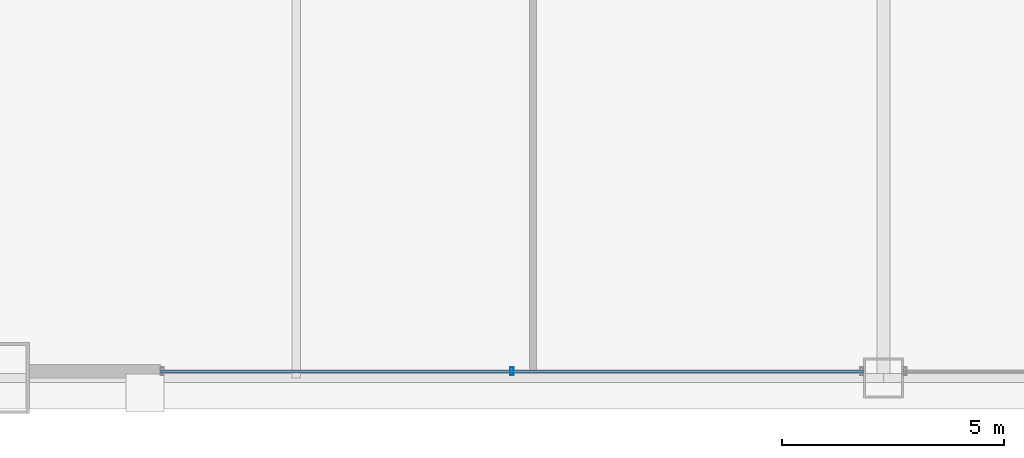
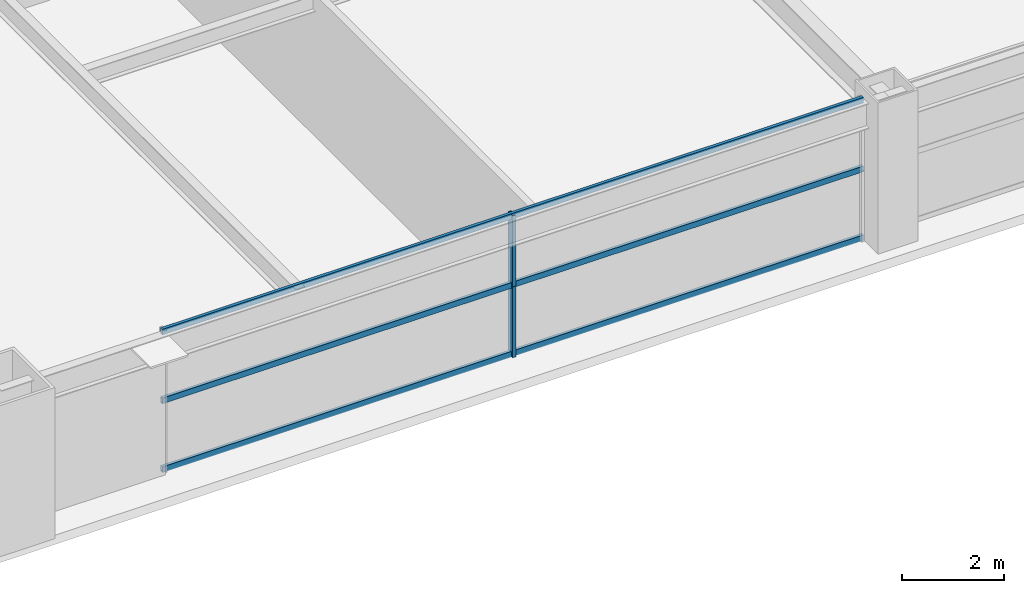
# One storey, part 5 of 37: 5 members, 1 element without a shape of its own.
"""IFC4 building model written with IfcOpenShell, lengths in metres."""

import ifcopenshell
import ifcopenshell.guid

model = None  # the IFC model being written
_history = None  # IfcOwnerHistory: only IFC2X3 demands one
_inside = {}  # id of a spatial element -> (the spatial element, [elements in it])
_under = {}  # id of a project, library or spatial element -> (it, [spatial elements below it])
_declared = {}  # id of a project -> (the project, [libraries it declares])
_typed = {}  # id of a type object -> (the type object, [elements of that type])
_made_of = {}  # id of a material, layer set ... -> (it, [elements and type objects made of it])


def new_model(schema):
    """Start an empty IFC model of exactly this schema.

    Asked for "IFC4X3", IfcOpenShell would pick the latest addendum, in which some entities
    have other attributes; the version numbers below select the first issue.
    IFC2X3 requires an IfcOwnerHistory on every rooted entity: one is made here for all.
    """
    global model, _history
    if schema == "IFC4X3":
        model = ifcopenshell.file(schema_version=(4, 3, 0, 0))
    else:
        model = ifcopenshell.file(schema=schema)
    _inside.clear()
    _under.clear()
    _declared.clear()
    _typed.clear()
    _made_of.clear()
    _history = None
    if model.schema == "IFC2X3":
        org = make("IfcOrganization", Name="unknown")
        user = make(
            "IfcPersonAndOrganization",
            ThePerson=make("IfcPerson", FamilyName="unknown"),
            TheOrganization=org,
        )
        app = make(
            "IfcApplication",
            ApplicationDeveloper=org,
            Version="unknown",
            ApplicationFullName="unknown",
            ApplicationIdentifier="unknown",
        )
        _history = make(
            "IfcOwnerHistory",
            OwningUser=user,
            OwningApplication=app,
            ChangeAction="ADDED",
            CreationDate=0,
        )
    return model


def make(cls, **values):
    """One entity of the class cls with the attributes given. An attribute that is None is left unset."""
    return model.create_entity(
        cls, **{name: value for name, value in values.items() if value is not None}
    )


def rooted(cls, **values):
    """An entity with a GlobalId (a new one), such as an element, a storey or a relation."""
    return make(cls, GlobalId=ifcopenshell.guid.new(), OwnerHistory=_history, **values)


def si_unit(unit_type, name, prefix=None):
    """IfcSIUnit, for example si_unit("LENGTHUNIT", "METRE", prefix="MILLI")."""
    return make("IfcSIUnit", UnitType=unit_type, Prefix=prefix, Name=name)


def assignment(units):
    """IfcUnitAssignment: the units of a project."""
    return None if units is None else make("IfcUnitAssignment", Units=units)


def point(xyz):
    """IfcCartesianPoint."""
    return None if xyz is None else make("IfcCartesianPoint", Coordinates=xyz)


def direction(xyz):
    """IfcDirection."""
    return None if xyz is None else make("IfcDirection", DirectionRatios=xyz)


def frame(location, z_axis=None, x_axis=None):
    """IfcAxis2Placement3D, a coordinate frame: its origin and axes. An axis left out is left unset."""
    return make(
        "IfcAxis2Placement3D",
        Location=point(location),
        Axis=direction(z_axis),
        RefDirection=direction(x_axis),
    )


def frame_2d(location, x_axis=None):
    """IfcAxis2Placement2D, a coordinate frame in the plane: its origin and x axis."""
    return make(
        "IfcAxis2Placement2D", Location=point(location), RefDirection=direction(x_axis)
    )


def origin():
    """The frame at (0, 0, 0) with its axes left unset."""
    return frame((0.0, 0.0, 0.0))


def origin_2d():
    """The frame at (0, 0) in the plane with its x axis left unset."""
    return frame_2d((0.0, 0.0))


def place(relative_to, where):
    """IfcLocalPlacement: puts the frame where relative to a parent placement (None: the world)."""
    return make(
        "IfcLocalPlacement", PlacementRelTo=relative_to, RelativePlacement=where
    )


def context(
    kind, dimensions, precision=None, world=None, true_north=None, identifier=None
):
    """IfcGeometricRepresentationContext, for example the 3D "Model" context."""
    return make(
        "IfcGeometricRepresentationContext",
        ContextIdentifier=identifier,
        ContextType=kind,
        CoordinateSpaceDimension=dimensions,
        Precision=precision,
        WorldCoordinateSystem=world,
        TrueNorth=true_north,
    )


def subcontext(parent, identifier, kind, view, scale=None):
    """IfcGeometricRepresentationSubContext, for example "Body" below "Model"."""
    return make(
        "IfcGeometricRepresentationSubContext",
        ContextIdentifier=identifier,
        ContextType=kind,
        ParentContext=parent,
        TargetScale=scale,
        TargetView=view,
    )


def project(units=None, contexts=None):
    """IfcProject with its units and contexts."""
    return rooted(
        "IfcProject",
        Name="project",
        RepresentationContexts=contexts,
        UnitsInContext=assignment(units),
    )


def spatial(cls, under=None, at=None, **own):
    """A site, building, storey or space (cls), placed at a placement, below another one or the project."""
    s = rooted(cls, ObjectPlacement=at, **own)
    if under is not None:
        _under.setdefault(under.id(), (under, []))[1].append(s)
    return s


def profile(cls, at=None, kind="AREA", **sizes):
    """A parametric profile (cls). Its sizes go by their IFC names, for example OverallWidth=200.0."""
    return make(cls, ProfileType=kind, Position=at, **sizes)


def hollow_rectangle(**sizes):
    """IfcRectangleHollowProfileDef."""
    return profile("IfcRectangleHollowProfileDef", **sizes)


def extrude(swept, where, along, depth):
    """IfcExtrudedAreaSolid: the profile swept, set in the frame where, extruded along a direction by depth."""
    return make(
        "IfcExtrudedAreaSolid",
        SweptArea=swept,
        Position=where,
        ExtrudedDirection=direction(along),
        Depth=depth,
    )


def shape(context_of_items, identifier, shape_type, items):
    """IfcShapeRepresentation: the items that make up one representation, for example the "Body"."""
    return make(
        "IfcShapeRepresentation",
        ContextOfItems=context_of_items,
        RepresentationIdentifier=identifier,
        RepresentationType=shape_type,
        Items=items,
    )


def source(mapping_origin, context_of_items, identifier, shape_type, items):
    """IfcRepresentationMap: a shape defined once, which mapped items show again and again."""
    return make(
        "IfcRepresentationMap",
        MappingOrigin=mapping_origin,
        MappedRepresentation=shape(context_of_items, identifier, shape_type, items),
    )


def transform(
    local_origin,
    x_axis=None,
    y_axis=None,
    z_axis=None,
    scale=None,
    scale2=None,
    scale3=None,
    uniform=True,
):
    """IfcCartesianTransformationOperator3D, or its non-uniform kind. x_axis, y_axis, z_axis: its Axis1, 2, 3."""
    if uniform:
        return make(
            "IfcCartesianTransformationOperator3D",
            Axis1=direction(x_axis),
            Axis2=direction(y_axis),
            LocalOrigin=point(local_origin),
            Scale=scale,
            Axis3=direction(z_axis),
        )
    return make(
        "IfcCartesianTransformationOperator3DnonUniform",
        Axis1=direction(x_axis),
        Axis2=direction(y_axis),
        LocalOrigin=point(local_origin),
        Scale=scale,
        Axis3=direction(z_axis),
        Scale2=scale2,
        Scale3=scale3,
    )


def mapped(mapping_source, mapping_target):
    """IfcMappedItem: shows the shape of a source again, moved by a transform."""
    return make(
        "IfcMappedItem", MappingSource=mapping_source, MappingTarget=mapping_target
    )


def material(Name=None, Category=None):
    """IfcMaterial."""
    return make("IfcMaterial", Name=Name, Category=Category)


def layer(
    of_material, thickness, ventilated=None, Name=None, Category=None, Priority=None
):
    """IfcMaterialLayer: one layer of a wall or slab, of a material (None: an air gap)."""
    return make(
        "IfcMaterialLayer",
        Material=of_material,
        LayerThickness=thickness,
        IsVentilated=ventilated,
        Name=Name,
        Category=Category,
        Priority=Priority,
    )


def layer_set(layers, Name=None):
    """IfcMaterialLayerSet."""
    return make("IfcMaterialLayerSet", MaterialLayers=layers, LayerSetName=Name)


def material_profile(
    of_material, cross_section, Name=None, Category=None, Priority=None
):
    """IfcMaterialProfile: a cross section and its material."""
    return make(
        "IfcMaterialProfile",
        Name=Name,
        Material=of_material,
        Profile=cross_section,
        Priority=Priority,
        Category=Category,
    )


def profile_set(profiles, Name=None, composite=None):
    """IfcMaterialProfileSet."""
    return make(
        "IfcMaterialProfileSet",
        Name=Name,
        MaterialProfiles=profiles,
        CompositeProfile=composite,
    )


def made_of(thing, what):
    """Note that an element or type object is made of a material, layer set ...; save() writes the relation."""
    if what is not None:
        _made_of.setdefault(what.id(), (what, []))[1].append(thing)
    return thing


def type_object(cls, material=None, **own):
    """A type object (cls), such as IfcWallType, which elements share."""
    return made_of(rooted(cls, **own), material)


def element(
    cls,
    number,
    at=None,
    inside=None,
    cuts=None,
    type_object=None,
    material=None,
    context=None,
    identifier="Body",
    shape_type=None,
    held_by="IfcProductDefinitionShape",
    body=None,
    shapes=None,
    **own,
):
    """One element of the class cls, such as IfcWall. Its Tag is "e" and its number.

    at: its placement. inside: the storey or other place that contains it. cuts: it is an
    opening in that element (IfcRelVoidsElement). A single representation is given by context,
    identifier, shape_type and body (its items); several are given by shapes. held_by: the class
    of the entity that holds the representations. save() writes the other relations.
    """
    e = rooted(cls, Tag="e%d" % number, ObjectPlacement=at, **own)
    if body is not None:
        shapes = [shape(context, identifier, shape_type, body)]
    if shapes is not None:
        e.Representation = make(held_by, Representations=shapes)
    if inside is not None:
        _inside.setdefault(inside.id(), (inside, []))[1].append(e)
    if cuts is not None:
        rooted(
            "IfcRelVoidsElement", RelatingBuildingElement=cuts, RelatedOpeningElement=e
        )
    if type_object is not None:
        _typed.setdefault(type_object.id(), (type_object, []))[1].append(e)
    return made_of(e, material)


def aggregate(whole, parts):
    """IfcRelAggregates: a whole, such as a stair, and the parts it consists of."""
    return rooted("IfcRelAggregates", RelatingObject=whole, RelatedObjects=parts)


def save(model, path):
    """Write the relations noted so far, then the file.

    IfcRelAggregates (storeys below a building ...), IfcRelContainedInSpatialStructure (elements
    in a storey), IfcRelDefinesByType, IfcRelAssociatesMaterial and IfcRelDeclares: one each for
    every whole, place, type object, material and project.
    """
    for whole, parts in _under.values():
        aggregate(whole, parts)
    for where, things in _inside.values():
        rooted(
            "IfcRelContainedInSpatialStructure",
            RelatedElements=things,
            RelatingStructure=where,
        )
    for kind, things in _typed.values():
        rooted("IfcRelDefinesByType", RelatedObjects=things, RelatingType=kind)
    for what, things in _made_of.values():
        rooted("IfcRelAssociatesMaterial", RelatedObjects=things, RelatingMaterial=what)
    for by, libraries in _declared.values():
        rooted("IfcRelDeclares", RelatingContext=by, RelatedDefinitions=libraries)
    model.write(path)


model = new_model("IFC4")

# Units and contexts
model_context = context("Model", 3, precision=1e-05, world=origin(), true_north=direction((0.0, 1.0)))
body_context = subcontext(model_context, "Body", "Model", "MODEL_VIEW")
ifc_project = project(units=[si_unit("LENGTHUNIT", "METRE"), si_unit("AREAUNIT", "SQUARE_METRE"), si_unit("VOLUMEUNIT", "CUBIC_METRE"), si_unit("PLANEANGLEUNIT", "RADIAN"), si_unit("MASSUNIT", "GRAM", prefix="KILO"), si_unit("THERMODYNAMICTEMPERATUREUNIT", "KELVIN"), si_unit("POWERUNIT", "WATT")], contexts=[model_context])

# Site, building, storey
site_placement = place(None, origin())
site = spatial("IfcSite", under=ifc_project, at=site_placement, CompositionType="ELEMENT")
building_placement = place(site_placement, origin())
building = spatial("IfcBuilding", under=site, at=building_placement, Name="Yuzanri Waterfront Tower", CompositionType="ELEMENT")
storey_placement = place(building_placement, frame((0.0, 0.0, 104.60009765625)))
storey = spatial("IfcBuildingStorey", under=building, at=storey_placement, Name="L27", CompositionType="ELEMENT", Elevation=104.60009765625)

# Curtain wall, members
ifc_material_1 = material(Name="Anodized Architectural Bronze", Category="metal")
ifc_layer = layer(ifc_material_1, 0.159912109375)
ifc_layer_set = layer_set([ifc_layer], Name="Anodized Architectural Bronze")
curtain_wall_type = type_object("IfcCurtainWallType", Name="Anodized Bronze Hotel Upper-Tier Solar-Control Unitized Curtain Wall 7800", PredefinedType="NOTDEFINED", material=ifc_layer_set)
curtain_wall_placement = place(storey_placement, origin())
curtain_wall = element("IfcCurtainWall", 1, at=curtain_wall_placement, inside=storey, type_object=curtain_wall_type, Name="L27 Curtain Wall CW-L27-SL", PredefinedType="NOTDEFINED")
ifc_material_2 = material(Name="Anodized Architectural Bronze", Category="metal")
ifc_material_profile_1 = material_profile(ifc_material_2, hollow_rectangle(XDim=0.070068359375, YDim=0.179931640625, WallThickness=0.00390625, at=origin_2d()), Name="CWM 70x180")
ifc_profile_set_1 = profile_set([ifc_material_profile_1], Name="Anodized Architectural Bronze")
member_type_1 = type_object("IfcMemberType", Name="Anodized Bronze Standard Curtain-Wall Mullion 70x180", PredefinedType="MULLION", material=ifc_profile_set_1)
shared_shape_1 = source(origin(), body_context, "Body", "SweptSolid", [
    extrude(hollow_rectangle(XDim=0.070068359375, YDim=0.179931640625, WallThickness=0.00390625, at=origin_2d()), origin(), (0.0, 0.0, 1.0), 1.68798828125),
])
member_1_placement = place(storey_placement, frame((28.64990234375, 2.35009765625, 0.0), z_axis=(0.0, 0.0, 1.0), x_axis=(1.0, 0.0, 0.0)))
member_1 = element("IfcMember", 2, at=member_1_placement, type_object=member_type_1, Name="CW-L27-SL Lower Mullion 01", PredefinedType="MULLION", context=body_context, shape_type="MappedRepresentation", body=[
    mapped(shared_shape_1, transform((0.0, 0.0, 0.0), scale=1.0)),
])
member_2_placement = place(storey_placement, frame((28.64990234375, 2.35009765625, 1.69189453125), z_axis=(0.0, 0.0, 1.0), x_axis=(1.0, 0.0, 0.0)))
member_2 = element("IfcMember", 3, at=member_2_placement, type_object=member_type_1, Name="CW-L27-SL Upper Mullion 01", PredefinedType="MULLION", context=body_context, shape_type="MappedRepresentation", body=[
    mapped(shared_shape_1, transform((0.0, 0.0, 0.0), scale=1.0)),
])
ifc_material_3 = material(Name="Anodized Architectural Bronze", Category="metal")
ifc_material_profile_2 = material_profile(ifc_material_3, hollow_rectangle(XDim=0.070068359375, YDim=0.135009765625, WallThickness=0.00341796875, at=origin_2d()), Name="CWT 70x135")
ifc_profile_set_2 = profile_set([ifc_material_profile_2], Name="Anodized Architectural Bronze")
member_type_2 = type_object("IfcMemberType", Name="Anodized Bronze Standard Curtain-Wall Transom 70x135", PredefinedType="USERDEFINED", material=ifc_profile_set_2)
shared_shape_2 = source(origin(), body_context, "Body", "SweptSolid", [
    extrude(hollow_rectangle(XDim=0.070068359375, YDim=0.135009765625, WallThickness=0.00341796875, at=origin_2d()), origin(), (0.0, 0.0, 1.0), 15.800048828125),
])
member_3_placement = place(storey_placement, frame((20.75, 2.35009765625, 0.0498046875), z_axis=(1.0, 0.0, 0.0), x_axis=(0.0, 1.0, 0.0)))
member_3 = element("IfcMember", 4, at=member_3_placement, type_object=member_type_2, Name="CW-L27-SL Transom 1", ObjectType="TRANSOM", PredefinedType="USERDEFINED", context=body_context, shape_type="MappedRepresentation", body=[
    mapped(shared_shape_2, transform((0.0, 0.0, 0.0), scale=1.0)),
])
member_4_placement = place(storey_placement, frame((20.75, 2.35009765625, 1.68994140625), z_axis=(1.0, 0.0, 0.0), x_axis=(0.0, 1.0, 0.0)))
member_4 = element("IfcMember", 5, at=member_4_placement, type_object=member_type_2, Name="CW-L27-SL Transom 2", ObjectType="TRANSOM", PredefinedType="USERDEFINED", context=body_context, shape_type="MappedRepresentation", body=[
    mapped(shared_shape_2, transform((0.0, 0.0, 0.0), scale=1.0)),
])
member_5_placement = place(storey_placement, frame((20.75, 2.35009765625, 3.329833984375), z_axis=(1.0, 0.0, 0.0), x_axis=(0.0, 1.0, 0.0)))
member_5 = element("IfcMember", 6, at=member_5_placement, type_object=member_type_2, Name="CW-L27-SL Transom 3", ObjectType="TRANSOM", PredefinedType="USERDEFINED", context=body_context, shape_type="MappedRepresentation", body=[
    mapped(shared_shape_2, transform((0.0, 0.0, 0.0), scale=1.0)),
])
aggregate(curtain_wall, [member_1, member_2, member_3, member_4, member_5])

save(model, "model.ifc")
